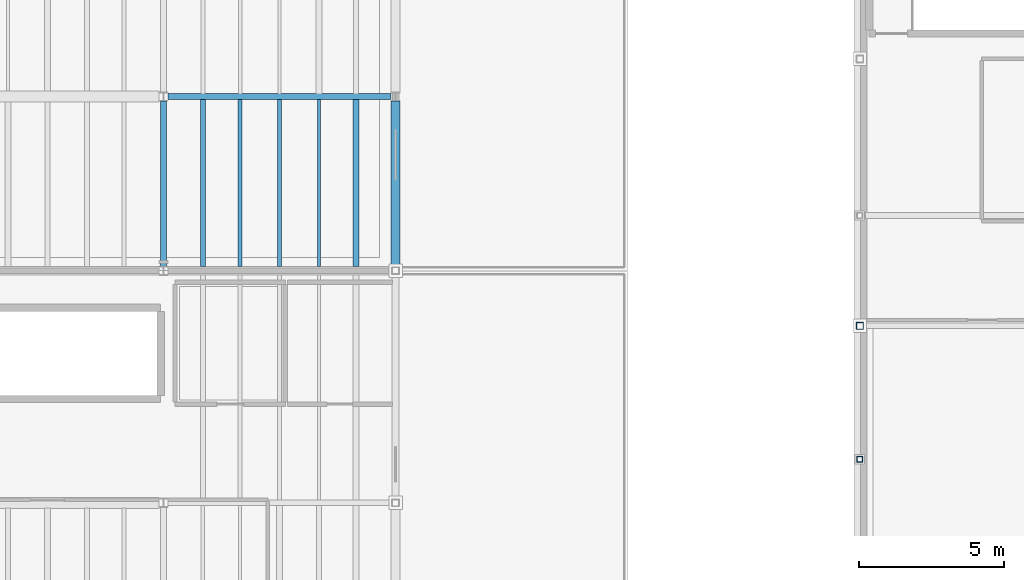
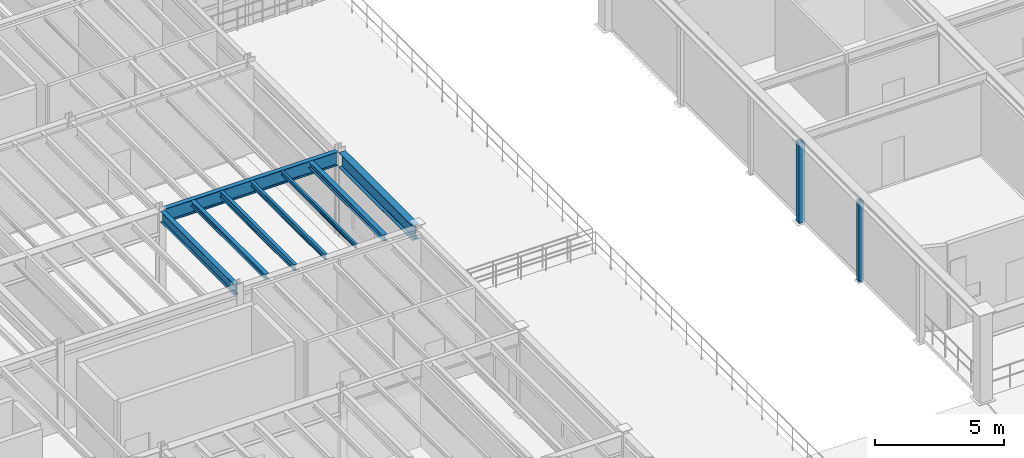
# One storey, part 16 of 78: 8 beams, 2 members.
"""IFC4 building model written with IfcOpenShell, lengths in metres."""

from ifc_helpers import new_model, si_unit, direction, frame, origin, origin_2d, place, context, subcontext, project, spatial, hollow_rectangle, i_section, extrude, material, material_profile, profile_set, type_object, element, save


model = new_model("IFC4")

# Units and contexts
model_context = context("Model", 3, precision=1e-05, world=origin(), true_north=direction((0.0, 1.0)))
body_context = subcontext(model_context, "Body", "Model", "MODEL_VIEW")
ifc_project = project(units=[si_unit("LENGTHUNIT", "METRE"), si_unit("AREAUNIT", "SQUARE_METRE"), si_unit("VOLUMEUNIT", "CUBIC_METRE"), si_unit("PLANEANGLEUNIT", "RADIAN"), si_unit("MASSUNIT", "GRAM", prefix="KILO"), si_unit("THERMODYNAMICTEMPERATUREUNIT", "KELVIN"), si_unit("POWERUNIT", "WATT")], contexts=[model_context])

# Site, building, storey
site_placement = place(None, origin())
site = spatial("IfcSite", under=ifc_project, at=site_placement, CompositionType="ELEMENT")
building_placement = place(site_placement, origin())
building = spatial("IfcBuilding", under=site, at=building_placement, Name="Zhenchuan Central Fire Station", CompositionType="ELEMENT")
storey_placement = place(building_placement, frame((0.0, 0.0, 5.85009765625)))
storey = spatial("IfcBuildingStorey", under=building, at=storey_placement, Name="L02", CompositionType="ELEMENT", Elevation=5.85009765625)

# Beams
ifc_material = material(Name="Steel Q355B", Category="steel")
ifc_material_profile_1 = material_profile(ifc_material, i_section(OverallWidth=0.199951171875, OverallDepth=0.5, WebThickness=0.010009765625, FlangeThickness=0.01611328125, FilletRadius=0.02001953125, at=origin_2d()), Name="HN 500x200")
ifc_profile_set_1 = profile_set([ifc_material_profile_1], Name="Steel Q355B")
beam_type_1 = type_object("IfcBeamType", Name="BM-HN500-INT", PredefinedType="BEAM", material=ifc_profile_set_1)
beam_1_placement = place(storey_placement, frame((32.0, 22.64990234375, 3.75), z_axis=(0.0, 1.0, 0.0), x_axis=(-1.0, 0.0, 0.0)))
element("IfcBeam", 1, at=beam_1_placement, inside=storey, type_object=beam_type_1, Name="L03 Girder NS 0301", PredefinedType="BEAM", context=body_context, shape_type="SweptSolid", body=[
    extrude(i_section(OverallWidth=0.199951171875, OverallDepth=0.5, WebThickness=0.010009765625, FlangeThickness=0.01611328125, FilletRadius=0.02001953125, at=origin_2d()), origin(), (0.0, 0.0, 1.0), 5.7001953125),
])
ifc_material_profile_2 = material_profile(ifc_material, i_section(OverallWidth=0.199951171875, OverallDepth=0.64990234375, WebThickness=0.011962890625, FlangeThickness=0.02001953125, FilletRadius=0.02197265625, at=origin_2d()), Name="HN 650x200")
ifc_profile_set_2 = profile_set([ifc_material_profile_2], Name="Steel Q355B")
beam_type_2 = type_object("IfcBeamType", Name="BM-HN650", PredefinedType="BEAM", material=ifc_profile_set_2)
beam_2_placement = place(storey_placement, frame((32.14990234375, 28.5, 3.6748046875), z_axis=(1.0, 0.0, 0.0), x_axis=(0.0, 1.0, 0.0)))
element("IfcBeam", 2, at=beam_2_placement, inside=storey, type_object=beam_type_2, Name="L03 Girder EW 0225", PredefinedType="BEAM", context=body_context, shape_type="SweptSolid", body=[
    extrude(i_section(OverallWidth=0.199951171875, OverallDepth=0.64990234375, WebThickness=0.011962890625, FlangeThickness=0.02001953125, FilletRadius=0.02197265625, at=origin_2d()), origin(), (0.0, 0.0, 1.0), 7.7001953125),
])
ifc_material_profile_3 = material_profile(ifc_material, i_section(OverallWidth=0.300048828125, OverallDepth=0.699951171875, WebThickness=0.012939453125, FlangeThickness=0.02392578125, FilletRadius=0.02392578125, at=origin_2d()), Name="HN 700x300")
ifc_profile_set_3 = profile_set([ifc_material_profile_3], Name="Steel Q355B")
beam_type_3 = type_object("IfcBeamType", Name="BM-HN700", PredefinedType="BEAM", material=ifc_profile_set_3)
beam_3_placement = place(storey_placement, frame((40.0, 22.625, 3.64990234375), z_axis=(0.0, 1.0, 0.0), x_axis=(-1.0, 0.0, 0.0)))
element("IfcBeam", 3, at=beam_3_placement, inside=storey, type_object=beam_type_3, Name="L03 Girder NS 0307", PredefinedType="BEAM", context=body_context, shape_type="SweptSolid", body=[
    extrude(i_section(OverallWidth=0.300048828125, OverallDepth=0.699951171875, WebThickness=0.012939453125, FlangeThickness=0.02392578125, FilletRadius=0.02392578125, at=origin_2d()), origin(), (0.0, 0.0, 1.0), 5.72509765625),
])
ifc_material_profile_4 = material_profile(ifc_material, i_section(OverallWidth=0.175048828125, OverallDepth=0.243896484375, WebThickness=0.007080078125, FlangeThickness=0.010986328125, FilletRadius=0.012939453125, at=origin_2d()), Name="HM 244x175")
ifc_profile_set_4 = profile_set([ifc_material_profile_4], Name="Steel Q355B")
beam_type_4 = type_object("IfcBeamType", Name="JS-HM244", PredefinedType="JOIST", material=ifc_profile_set_4)
beam_4_placement = place(storey_placement, frame((33.360107421875, 22.64697265625, 3.8779296875), z_axis=(0.0, 1.0, 0.0), x_axis=(-1.0, 0.0, 0.0)))
element("IfcBeam", 4, at=beam_4_placement, inside=storey, type_object=beam_type_4, Name="L03 Secondary Joist 0405", PredefinedType="JOIST", context=body_context, shape_type="SweptSolid", body=[
    extrude(i_section(OverallWidth=0.175048828125, OverallDepth=0.243896484375, WebThickness=0.007080078125, FlangeThickness=0.010986328125, FilletRadius=0.012939453125, at=origin_2d()), origin(), (0.0, 0.0, 1.0), 5.756103515625),
])
ifc_material_profile_5 = material_profile(ifc_material, i_section(OverallWidth=0.199951171875, OverallDepth=0.2939453125, WebThickness=0.008056640625, FlangeThickness=0.011962890625, FilletRadius=0.01611328125, at=origin_2d()), Name="HM 294x200")
ifc_profile_set_5 = profile_set([ifc_material_profile_5], Name="Steel Q355B")
beam_type_5 = type_object("IfcBeamType", Name="JS-HM294", PredefinedType="JOIST", material=ifc_profile_set_5)
beam_5_placement = place(storey_placement, frame((38.639892578125, 22.64697265625, 3.852783203125), z_axis=(0.0, 1.0, 0.0), x_axis=(-1.0, 0.0, 0.0)))
element("IfcBeam", 5, at=beam_5_placement, inside=storey, type_object=beam_type_5, Name="L03 Secondary Joist 0409", PredefinedType="JOIST", context=body_context, shape_type="SweptSolid", body=[
    extrude(i_section(OverallWidth=0.199951171875, OverallDepth=0.2939453125, WebThickness=0.008056640625, FlangeThickness=0.011962890625, FilletRadius=0.01611328125, at=origin_2d()), origin(), (0.0, 0.0, 1.0), 5.756103515625),
])
ifc_material_profile_6 = material_profile(ifc_material, i_section(OverallWidth=0.10009765625, OverallDepth=0.199951171875, WebThickness=0.005615234375, FlangeThickness=0.008056640625, FilletRadius=0.010986328125, at=origin_2d()), Name="HN 200x100")
ifc_profile_set_6 = profile_set([ifc_material_profile_6], Name="Steel Q355B")
beam_type_6 = type_object("IfcBeamType", Name="JS-HN200", PredefinedType="JOIST", material=ifc_profile_set_6)
beam_6_placement = place(storey_placement, frame((37.360107421875, 22.64697265625, 3.89990234375), z_axis=(0.0, 1.0, 0.0), x_axis=(-1.0, 0.0, 0.0)))
element("IfcBeam", 6, at=beam_6_placement, inside=storey, type_object=beam_type_6, Name="L03 Secondary Joist 0408", PredefinedType="JOIST", context=body_context, shape_type="SweptSolid", body=[
    extrude(i_section(OverallWidth=0.10009765625, OverallDepth=0.199951171875, WebThickness=0.005615234375, FlangeThickness=0.008056640625, FilletRadius=0.010986328125, at=origin_2d()), origin(), (0.0, 0.0, 1.0), 5.756103515625),
])
ifc_material_profile_7 = material_profile(ifc_material, i_section(OverallWidth=0.125, OverallDepth=0.25, WebThickness=0.006103515625, FlangeThickness=0.009033203125, FilletRadius=0.011962890625, at=origin_2d()), Name="HN 250x125")
ifc_profile_set_7 = profile_set([ifc_material_profile_7], Name="Steel Q355B")
beam_type_7 = type_object("IfcBeamType", Name="JS-HN250", PredefinedType="JOIST", material=ifc_profile_set_7)
beam_7_placement = place(storey_placement, frame((36.0, 22.64697265625, 3.875), z_axis=(0.0, 1.0, 0.0), x_axis=(-1.0, 0.0, 0.0)))
element("IfcBeam", 7, at=beam_7_placement, inside=storey, type_object=beam_type_7, Name="L03 Secondary Joist 0407", PredefinedType="JOIST", context=body_context, shape_type="SweptSolid", body=[
    extrude(i_section(OverallWidth=0.125, OverallDepth=0.25, WebThickness=0.006103515625, FlangeThickness=0.009033203125, FilletRadius=0.011962890625, at=origin_2d()), origin(), (0.0, 0.0, 1.0), 5.756103515625),
])
ifc_material_profile_8 = material_profile(ifc_material, i_section(OverallWidth=0.14990234375, OverallDepth=0.300048828125, WebThickness=0.006591796875, FlangeThickness=0.009033203125, FilletRadius=0.012939453125, at=origin_2d()), Name="HN 300x150")
ifc_profile_set_8 = profile_set([ifc_material_profile_8], Name="Steel Q355B")
beam_type_8 = type_object("IfcBeamType", Name="JS-HN300", PredefinedType="JOIST", material=ifc_profile_set_8)
beam_8_placement = place(storey_placement, frame((34.639892578125, 22.64697265625, 3.849853515625), z_axis=(0.0, 1.0, 0.0), x_axis=(-1.0, 0.0, 0.0)))
element("IfcBeam", 8, at=beam_8_placement, inside=storey, type_object=beam_type_8, Name="L03 Secondary Joist 0406", PredefinedType="JOIST", context=body_context, shape_type="SweptSolid", body=[
    extrude(i_section(OverallWidth=0.14990234375, OverallDepth=0.300048828125, WebThickness=0.006591796875, FlangeThickness=0.009033203125, FilletRadius=0.012939453125, at=origin_2d()), origin(), (0.0, 0.0, 1.0), 5.756103515625),
])

# Members
ifc_material_profile_9 = material_profile(ifc_material, hollow_rectangle(XDim=0.199951171875, YDim=0.199951171875, WallThickness=0.010009765625, at=origin_2d()), Name="SHS 200x200x10")
ifc_profile_set_9 = profile_set([ifc_material_profile_9], Name="Steel Q355B")
member_type_1 = type_object("IfcMemberType", Name="MB-CH-SHS200", PredefinedType="CHORD", material=ifc_profile_set_9)
member_1_placement = place(storey_placement, frame((56.0, 16.0, -0.2001953125), z_axis=(0.0, 0.0, 1.0), x_axis=(1.0, 0.0, 0.0)))
element("IfcMember", 9, at=member_1_placement, inside=storey, type_object=member_type_1, Name="Transfer Truss TT-01 Web Post 2", PredefinedType="CHORD", context=body_context, shape_type="SweptSolid", body=[
    extrude(hollow_rectangle(XDim=0.199951171875, YDim=0.199951171875, WallThickness=0.010009765625, at=origin_2d()), origin(), (0.0, 0.0, 1.0), 3.800048828125),
])
ifc_material_profile_10 = material_profile(ifc_material, hollow_rectangle(XDim=0.25, YDim=0.25, WallThickness=0.011962890625, at=origin_2d()), Name="SHS 250x250x12")
ifc_profile_set_10 = profile_set([ifc_material_profile_10], Name="Steel Q355B")
member_type_2 = type_object("IfcMemberType", Name="MB-CH-SHS250", PredefinedType="CHORD", material=ifc_profile_set_10)
member_2_placement = place(storey_placement, frame((56.0, 20.60009765625, -0.2001953125), z_axis=(0.0, 0.0, 1.0), x_axis=(1.0, 0.0, 0.0)))
element("IfcMember", 10, at=member_2_placement, inside=storey, type_object=member_type_2, Name="Transfer Truss TT-01 Web Post 3", PredefinedType="CHORD", context=body_context, shape_type="SweptSolid", body=[
    extrude(hollow_rectangle(XDim=0.25, YDim=0.25, WallThickness=0.011962890625, at=origin_2d()), origin(), (0.0, 0.0, 1.0), 3.800048828125),
])

save(model, "model.ifc")
